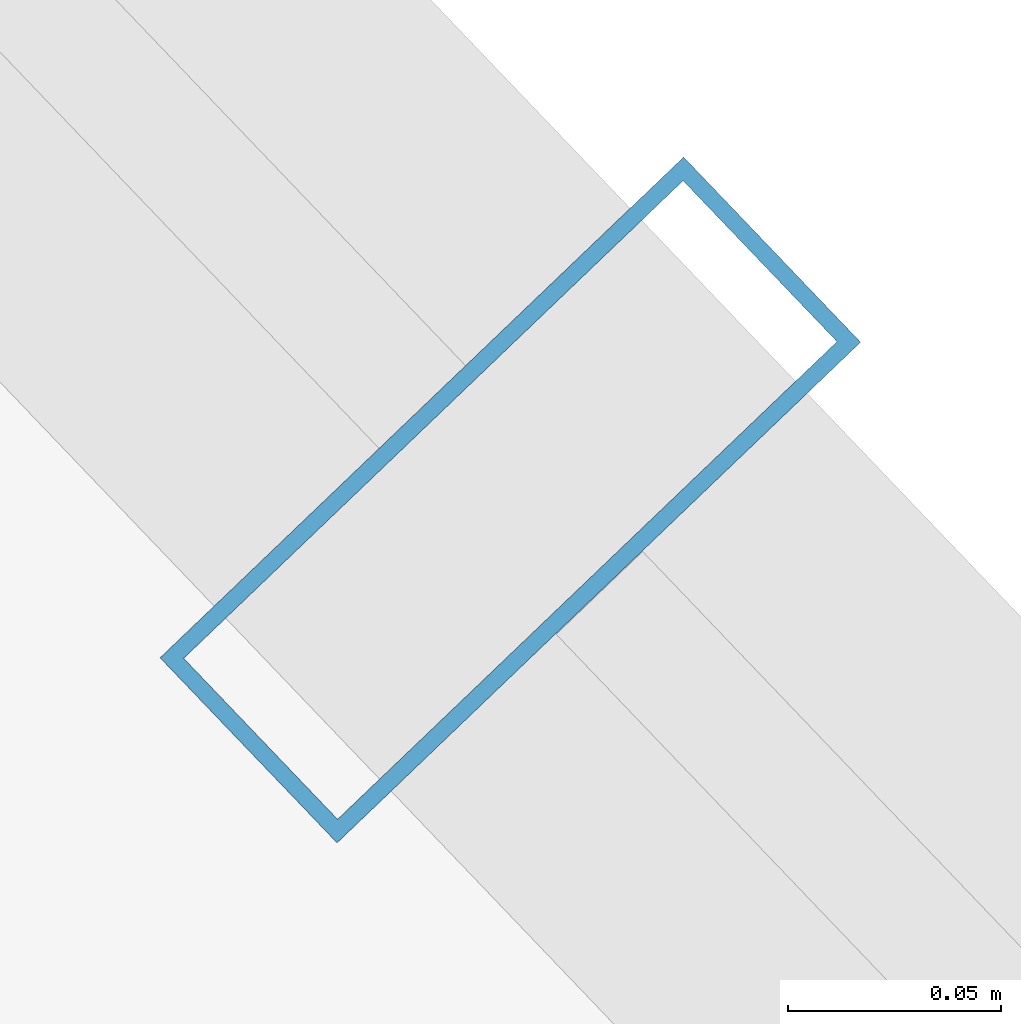
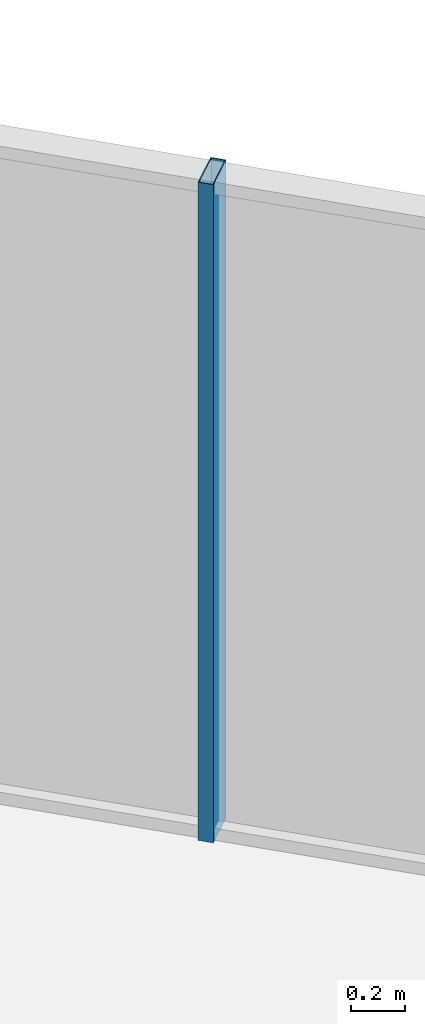
# One storey, part 28 of 37: 1 member, 1 element without a shape of its own.
"""IFC4 building model written with IfcOpenShell, lengths in metres."""

import ifcopenshell
import ifcopenshell.guid

model = None  # the IFC model being written
_history = None  # IfcOwnerHistory: only IFC2X3 demands one
_inside = {}  # id of a spatial element -> (the spatial element, [elements in it])
_under = {}  # id of a project, library or spatial element -> (it, [spatial elements below it])
_declared = {}  # id of a project -> (the project, [libraries it declares])
_typed = {}  # id of a type object -> (the type object, [elements of that type])
_made_of = {}  # id of a material, layer set ... -> (it, [elements and type objects made of it])


def new_model(schema):
    """Start an empty IFC model of exactly this schema.

    Asked for "IFC4X3", IfcOpenShell would pick the latest addendum, in which some entities
    have other attributes; the version numbers below select the first issue.
    IFC2X3 requires an IfcOwnerHistory on every rooted entity: one is made here for all.
    """
    global model, _history
    if schema == "IFC4X3":
        model = ifcopenshell.file(schema_version=(4, 3, 0, 0))
    else:
        model = ifcopenshell.file(schema=schema)
    _inside.clear()
    _under.clear()
    _declared.clear()
    _typed.clear()
    _made_of.clear()
    _history = None
    if model.schema == "IFC2X3":
        org = make("IfcOrganization", Name="unknown")
        user = make(
            "IfcPersonAndOrganization",
            ThePerson=make("IfcPerson", FamilyName="unknown"),
            TheOrganization=org,
        )
        app = make(
            "IfcApplication",
            ApplicationDeveloper=org,
            Version="unknown",
            ApplicationFullName="unknown",
            ApplicationIdentifier="unknown",
        )
        _history = make(
            "IfcOwnerHistory",
            OwningUser=user,
            OwningApplication=app,
            ChangeAction="ADDED",
            CreationDate=0,
        )
    return model


def make(cls, **values):
    """One entity of the class cls with the attributes given. An attribute that is None is left unset."""
    return model.create_entity(
        cls, **{name: value for name, value in values.items() if value is not None}
    )


def rooted(cls, **values):
    """An entity with a GlobalId (a new one), such as an element, a storey or a relation."""
    return make(cls, GlobalId=ifcopenshell.guid.new(), OwnerHistory=_history, **values)


def si_unit(unit_type, name, prefix=None):
    """IfcSIUnit, for example si_unit("LENGTHUNIT", "METRE", prefix="MILLI")."""
    return make("IfcSIUnit", UnitType=unit_type, Prefix=prefix, Name=name)


def assignment(units):
    """IfcUnitAssignment: the units of a project."""
    return None if units is None else make("IfcUnitAssignment", Units=units)


def point(xyz):
    """IfcCartesianPoint."""
    return None if xyz is None else make("IfcCartesianPoint", Coordinates=xyz)


def direction(xyz):
    """IfcDirection."""
    return None if xyz is None else make("IfcDirection", DirectionRatios=xyz)


def frame(location, z_axis=None, x_axis=None):
    """IfcAxis2Placement3D, a coordinate frame: its origin and axes. An axis left out is left unset."""
    return make(
        "IfcAxis2Placement3D",
        Location=point(location),
        Axis=direction(z_axis),
        RefDirection=direction(x_axis),
    )


def frame_2d(location, x_axis=None):
    """IfcAxis2Placement2D, a coordinate frame in the plane: its origin and x axis."""
    return make(
        "IfcAxis2Placement2D", Location=point(location), RefDirection=direction(x_axis)
    )


def origin():
    """The frame at (0, 0, 0) with its axes left unset."""
    return frame((0.0, 0.0, 0.0))


def origin_2d():
    """The frame at (0, 0) in the plane with its x axis left unset."""
    return frame_2d((0.0, 0.0))


def place(relative_to, where):
    """IfcLocalPlacement: puts the frame where relative to a parent placement (None: the world)."""
    return make(
        "IfcLocalPlacement", PlacementRelTo=relative_to, RelativePlacement=where
    )


def context(
    kind, dimensions, precision=None, world=None, true_north=None, identifier=None
):
    """IfcGeometricRepresentationContext, for example the 3D "Model" context."""
    return make(
        "IfcGeometricRepresentationContext",
        ContextIdentifier=identifier,
        ContextType=kind,
        CoordinateSpaceDimension=dimensions,
        Precision=precision,
        WorldCoordinateSystem=world,
        TrueNorth=true_north,
    )


def subcontext(parent, identifier, kind, view, scale=None):
    """IfcGeometricRepresentationSubContext, for example "Body" below "Model"."""
    return make(
        "IfcGeometricRepresentationSubContext",
        ContextIdentifier=identifier,
        ContextType=kind,
        ParentContext=parent,
        TargetScale=scale,
        TargetView=view,
    )


def project(units=None, contexts=None):
    """IfcProject with its units and contexts."""
    return rooted(
        "IfcProject",
        Name="project",
        RepresentationContexts=contexts,
        UnitsInContext=assignment(units),
    )


def spatial(cls, under=None, at=None, **own):
    """A site, building, storey or space (cls), placed at a placement, below another one or the project."""
    s = rooted(cls, ObjectPlacement=at, **own)
    if under is not None:
        _under.setdefault(under.id(), (under, []))[1].append(s)
    return s


def profile(cls, at=None, kind="AREA", **sizes):
    """A parametric profile (cls). Its sizes go by their IFC names, for example OverallWidth=200.0."""
    return make(cls, ProfileType=kind, Position=at, **sizes)


def hollow_rectangle(**sizes):
    """IfcRectangleHollowProfileDef."""
    return profile("IfcRectangleHollowProfileDef", **sizes)


def extrude(swept, where, along, depth):
    """IfcExtrudedAreaSolid: the profile swept, set in the frame where, extruded along a direction by depth."""
    return make(
        "IfcExtrudedAreaSolid",
        SweptArea=swept,
        Position=where,
        ExtrudedDirection=direction(along),
        Depth=depth,
    )


def shape(context_of_items, identifier, shape_type, items):
    """IfcShapeRepresentation: the items that make up one representation, for example the "Body"."""
    return make(
        "IfcShapeRepresentation",
        ContextOfItems=context_of_items,
        RepresentationIdentifier=identifier,
        RepresentationType=shape_type,
        Items=items,
    )


def source(mapping_origin, context_of_items, identifier, shape_type, items):
    """IfcRepresentationMap: a shape defined once, which mapped items show again and again."""
    return make(
        "IfcRepresentationMap",
        MappingOrigin=mapping_origin,
        MappedRepresentation=shape(context_of_items, identifier, shape_type, items),
    )


def transform(
    local_origin,
    x_axis=None,
    y_axis=None,
    z_axis=None,
    scale=None,
    scale2=None,
    scale3=None,
    uniform=True,
):
    """IfcCartesianTransformationOperator3D, or its non-uniform kind. x_axis, y_axis, z_axis: its Axis1, 2, 3."""
    if uniform:
        return make(
            "IfcCartesianTransformationOperator3D",
            Axis1=direction(x_axis),
            Axis2=direction(y_axis),
            LocalOrigin=point(local_origin),
            Scale=scale,
            Axis3=direction(z_axis),
        )
    return make(
        "IfcCartesianTransformationOperator3DnonUniform",
        Axis1=direction(x_axis),
        Axis2=direction(y_axis),
        LocalOrigin=point(local_origin),
        Scale=scale,
        Axis3=direction(z_axis),
        Scale2=scale2,
        Scale3=scale3,
    )


def mapped(mapping_source, mapping_target):
    """IfcMappedItem: shows the shape of a source again, moved by a transform."""
    return make(
        "IfcMappedItem", MappingSource=mapping_source, MappingTarget=mapping_target
    )


def material(Name=None, Category=None):
    """IfcMaterial."""
    return make("IfcMaterial", Name=Name, Category=Category)


def layer(
    of_material, thickness, ventilated=None, Name=None, Category=None, Priority=None
):
    """IfcMaterialLayer: one layer of a wall or slab, of a material (None: an air gap)."""
    return make(
        "IfcMaterialLayer",
        Material=of_material,
        LayerThickness=thickness,
        IsVentilated=ventilated,
        Name=Name,
        Category=Category,
        Priority=Priority,
    )


def layer_set(layers, Name=None):
    """IfcMaterialLayerSet."""
    return make("IfcMaterialLayerSet", MaterialLayers=layers, LayerSetName=Name)


def material_profile(
    of_material, cross_section, Name=None, Category=None, Priority=None
):
    """IfcMaterialProfile: a cross section and its material."""
    return make(
        "IfcMaterialProfile",
        Name=Name,
        Material=of_material,
        Profile=cross_section,
        Priority=Priority,
        Category=Category,
    )


def profile_set(profiles, Name=None, composite=None):
    """IfcMaterialProfileSet."""
    return make(
        "IfcMaterialProfileSet",
        Name=Name,
        MaterialProfiles=profiles,
        CompositeProfile=composite,
    )


def made_of(thing, what):
    """Note that an element or type object is made of a material, layer set ...; save() writes the relation."""
    if what is not None:
        _made_of.setdefault(what.id(), (what, []))[1].append(thing)
    return thing


def type_object(cls, material=None, **own):
    """A type object (cls), such as IfcWallType, which elements share."""
    return made_of(rooted(cls, **own), material)


def element(
    cls,
    number,
    at=None,
    inside=None,
    cuts=None,
    type_object=None,
    material=None,
    context=None,
    identifier="Body",
    shape_type=None,
    held_by="IfcProductDefinitionShape",
    body=None,
    shapes=None,
    **own,
):
    """One element of the class cls, such as IfcWall. Its Tag is "e" and its number.

    at: its placement. inside: the storey or other place that contains it. cuts: it is an
    opening in that element (IfcRelVoidsElement). A single representation is given by context,
    identifier, shape_type and body (its items); several are given by shapes. held_by: the class
    of the entity that holds the representations. save() writes the other relations.
    """
    e = rooted(cls, Tag="e%d" % number, ObjectPlacement=at, **own)
    if body is not None:
        shapes = [shape(context, identifier, shape_type, body)]
    if shapes is not None:
        e.Representation = make(held_by, Representations=shapes)
    if inside is not None:
        _inside.setdefault(inside.id(), (inside, []))[1].append(e)
    if cuts is not None:
        rooted(
            "IfcRelVoidsElement", RelatingBuildingElement=cuts, RelatedOpeningElement=e
        )
    if type_object is not None:
        _typed.setdefault(type_object.id(), (type_object, []))[1].append(e)
    return made_of(e, material)


def aggregate(whole, parts):
    """IfcRelAggregates: a whole, such as a stair, and the parts it consists of."""
    return rooted("IfcRelAggregates", RelatingObject=whole, RelatedObjects=parts)


def save(model, path):
    """Write the relations noted so far, then the file.

    IfcRelAggregates (storeys below a building ...), IfcRelContainedInSpatialStructure (elements
    in a storey), IfcRelDefinesByType, IfcRelAssociatesMaterial and IfcRelDeclares: one each for
    every whole, place, type object, material and project.
    """
    for whole, parts in _under.values():
        aggregate(whole, parts)
    for where, things in _inside.values():
        rooted(
            "IfcRelContainedInSpatialStructure",
            RelatedElements=things,
            RelatingStructure=where,
        )
    for kind, things in _typed.values():
        rooted("IfcRelDefinesByType", RelatedObjects=things, RelatingType=kind)
    for what, things in _made_of.values():
        rooted("IfcRelAssociatesMaterial", RelatedObjects=things, RelatingMaterial=what)
    for by, libraries in _declared.values():
        rooted("IfcRelDeclares", RelatingContext=by, RelatedDefinitions=libraries)
    model.write(path)


model = new_model("IFC4")

# Units and contexts
model_context = context("Model", 3, precision=1e-05, world=origin(), true_north=direction((0.0, 1.0)))
body_context = subcontext(model_context, "Body", "Model", "MODEL_VIEW")
ifc_project = project(units=[si_unit("LENGTHUNIT", "METRE"), si_unit("AREAUNIT", "SQUARE_METRE"), si_unit("VOLUMEUNIT", "CUBIC_METRE"), si_unit("PLANEANGLEUNIT", "RADIAN"), si_unit("MASSUNIT", "GRAM", prefix="KILO")], contexts=[model_context])

# Site, building, storey
site_placement = place(None, origin())
site = spatial("IfcSite", under=ifc_project, at=site_placement, CompositionType="ELEMENT")
building_placement = place(site_placement, origin())
building = spatial("IfcBuilding", under=site, at=building_placement, Name="Veraguas Prism Commons", CompositionType="ELEMENT")
storey_placement = place(building_placement, frame((0.0, 0.0, 70.60009765625)))
storey = spatial("IfcBuildingStorey", under=building, at=storey_placement, Name="L19", CompositionType="ELEMENT", Elevation=70.60009765625)

# Curtain wall, member
ifc_material = material(Name="Anodised aluminium EN AW-6063 T6", Category="aluminium")
ifc_layer = layer(ifc_material, 0.169921875, Name="Unitised Flush Curtain Wall Zone 1", Category="aluminium")
ifc_layer_set = layer_set([ifc_layer], Name="Anodised aluminium EN AW-6063 T6")
curtain_wall_type = type_object("IfcCurtainWallType", Name="Unitised Flush Curtain Wall Zone 1", PredefinedType="NOTDEFINED", material=ifc_layer_set)
curtain_wall_placement = place(storey_placement, origin())
curtain_wall = element("IfcCurtainWall", 1, at=curtain_wall_placement, inside=storey, type_object=curtain_wall_type, Name="Tower Facade Curtain Wall L19-F1", PredefinedType="NOTDEFINED")
ifc_material_profile = material_profile(ifc_material, hollow_rectangle(XDim=0.06005859375, YDim=0.169921875, WallThickness=0.00390625, at=origin_2d()), Name="AL60X170X4")
ifc_profile_set = profile_set([ifc_material_profile], Name="Anodised aluminium EN AW-6063 T6")
member_type = type_object("IfcMemberType", Name="Curtain Wall Mullion Lower AL 60x170x4", PredefinedType="MULLION", material=ifc_profile_set)
shared_shape = source(origin(), body_context, "Body", "SweptSolid", [
    extrude(hollow_rectangle(XDim=0.06005859375, YDim=0.169921875, WallThickness=0.00390625, at=origin_2d()), origin(), (0.0, 0.0, 1.0), 3.0),
])
member_placement = place(storey_placement, frame((39.021484375, 38.364990234375, 0.0), z_axis=(0.0, 0.0, 1.0), x_axis=(-0.691135993516, 0.722724732154, 0.0)))
member = element("IfcMember", 2, at=member_placement, type_object=member_type, Name="CW-Z1 Mullion 3", PredefinedType="MULLION", context=body_context, shape_type="MappedRepresentation", body=[
    mapped(shared_shape, transform((0.0, 0.0, 0.0), scale=1.0)),
])
aggregate(curtain_wall, [member])

save(model, "model.ifc")
